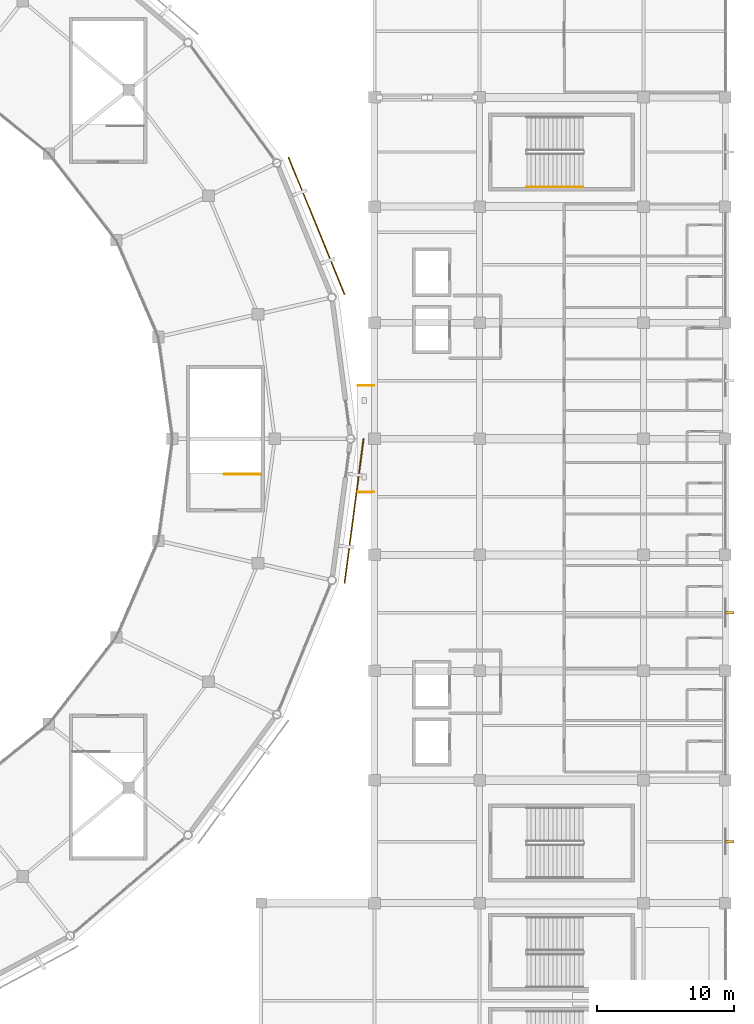
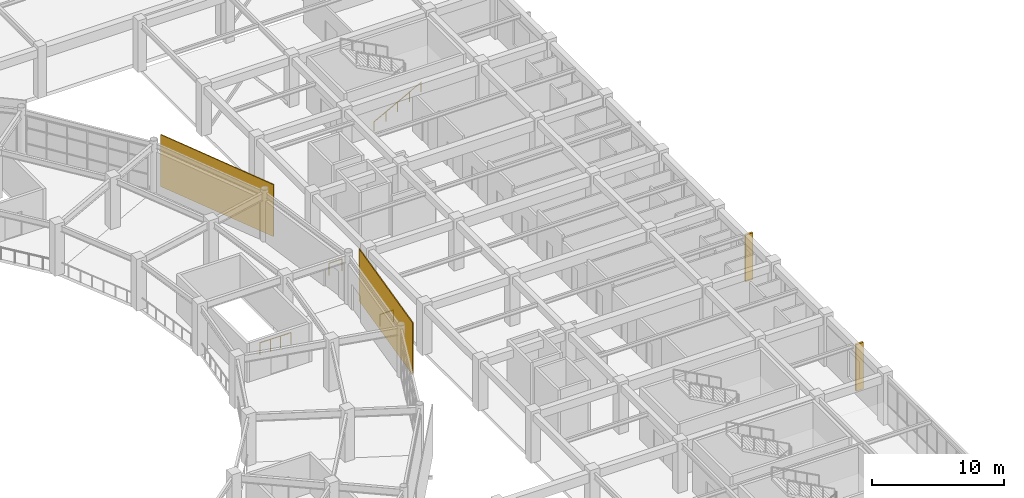
# One storey, part 107 of 112: 4 railings, 2 coverings, 2 shading devices.
"""IFC4 building model written with IfcOpenShell, lengths in metres."""

from ifc_helpers import new_model, si_unit, direction, frame, frame_2d, origin, origin_2d, place, context, subcontext, project, spatial, rectangle, circle, extrude, material, layer, layer_set, type_object, element, save


model = new_model("IFC4")

# Units and contexts
model_context = context("Model", 3, precision=1e-05, world=origin(), true_north=direction((0.0, 1.0)))
body_context = subcontext(model_context, "Body", "Model", "MODEL_VIEW")
ifc_project = project(units=[si_unit("LENGTHUNIT", "METRE"), si_unit("AREAUNIT", "SQUARE_METRE"), si_unit("VOLUMEUNIT", "CUBIC_METRE"), si_unit("PLANEANGLEUNIT", "RADIAN"), si_unit("MASSUNIT", "GRAM", prefix="KILO")], contexts=[model_context])

# Site, building, storey
site_placement = place(None, origin())
site = spatial("IfcSite", under=ifc_project, at=site_placement, CompositionType="ELEMENT")
building_placement = place(site_placement, origin())
building = spatial("IfcBuilding", under=site, at=building_placement, Name="Cuetzalor Civic Arena", CompositionType="ELEMENT")
storey_placement = place(building_placement, frame((0.0, 0.0, 11.39990234375)))
storey = spatial("IfcBuildingStorey", under=building, at=storey_placement, Name="L02", CompositionType="ELEMENT", Elevation=11.39990234375)

# Railings
ifc_material_1 = material(Name="Reseda-green architectural Steel S355 balustrade", Category="steel")
railing_type_1 = type_object("IfcRailingType", Name="InteriorVoidBalustrade_1100", PredefinedType="BALUSTRADE", material=ifc_material_1)
railing_1_placement = place(storey_placement, frame((48.0, -2.60009765625, 0.0)))
element("IfcRailing", 1, at=railing_1_placement, inside=storey, type_object=railing_type_1, Name="L02 ST-01 top well guard 1", PredefinedType="BALUSTRADE", context=body_context, shape_type="SweptSolid", body=[
    extrude(circle(Radius=0.02392578125, at=origin_2d()), frame((0.0, 0.0, 1.0810546875), z_axis=(-1.0, 0.0, 0.0), x_axis=(0.0, -1.0, 0.0)), (0.0, 0.0, 1.0), 2.699951171875),
    extrude(circle(Radius=0.02099609375, at=origin_2d()), origin(), (0.0, 0.0, 1.0), 1.056884765625),
    extrude(circle(Radius=0.02099609375, at=origin_2d()), frame((-0.89990234375, 0.0, 0.0)), (0.0, 0.0, 1.0), 1.056884765625),
    extrude(circle(Radius=0.02099609375, at=origin_2d()), frame((-1.800048828125, 0.0, 0.0)), (0.0, 0.0, 1.0), 1.056884765625),
    extrude(circle(Radius=0.02099609375, at=origin_2d()), frame((-2.699951171875, 0.0, 0.0)), (0.0, 0.0, 1.0), 1.056884765625),
])
for number, where, name in (
    (2, (55.080078125, -3.89990234375, 0.0), "Seismic Bridge Balustrade V4E L02 S"),
    (3, (55.080078125, 3.89990234375, 0.0), "Seismic Bridge Balustrade V4E L02 N"),
):
    element("IfcRailing", number, at=place(storey_placement, frame(where)), inside=storey, type_object=railing_type_1, Name=name, PredefinedType="BALUSTRADE", context=body_context, shape_type="SweptSolid", body=[
        extrude(circle(Radius=0.02392578125, at=origin_2d()), frame((0.0, 0.0, 1.076171875), z_axis=(1.0, 0.0, 0.0), x_axis=(0.0, 1.0, 0.0)), (0.0, 0.0, 1.0), 1.169921875),
        extrude(circle(Radius=0.02099609375, at=origin_2d()), origin(), (0.0, 0.0, 1.0), 1.052001953125),
        extrude(circle(Radius=0.02099609375, at=origin_2d()), frame((1.169921875, 0.0, 0.0)), (0.0, 0.0, 1.0), 1.052001953125),
    ])
ifc_material_2 = material(Name="Galvanised steel S355", Category="steel")
railing_type_2 = type_object("IfcRailingType", Name="StairPitchHandrail_900", PredefinedType="HANDRAIL", material=ifc_material_2)
railing_2_placement = place(storey_placement, frame((67.449951171875, 18.449951171875, 0.171630859375)))
element("IfcRailing", 4, at=railing_2_placement, inside=storey, type_object=railing_type_2, Name="L02 ST-22 stair handrail 1", PredefinedType="HANDRAIL", context=body_context, shape_type="SweptSolid", body=[
    extrude(circle(Radius=0.02392578125, at=origin_2d()), frame((0.0, 0.0, 0.8759765625), z_axis=(0.880248997335, 0.0, 0.474512068014), x_axis=(0.0, 1.0, 0.0)), (0.0, 0.0, 1.0), 4.696533203125),
    extrude(circle(Radius=0.02099609375, at=origin_2d()), origin(), (0.0, 0.0, 1.0), 0.851806640625),
    extrude(circle(Radius=0.02099609375, at=origin_2d()), frame((1.033447265625, 0.0, 0.55712890625)), (0.0, 0.0, 1.0), 0.851806640625),
    extrude(circle(Radius=0.02099609375, at=origin_2d()), frame((2.06689453125, 0.0, 1.1142578125)), (0.0, 0.0, 1.0), 0.851806640625),
    extrude(circle(Radius=0.02099609375, at=origin_2d()), frame((3.1005859375, 0.0, 1.67138671875)), (0.0, 0.0, 1.0), 0.851806640625),
    extrude(circle(Radius=0.02099609375, at=origin_2d()), frame((4.134033203125, 0.0, 2.228515625)), (0.0, 0.0, 1.0), 0.851806640625),
])

# Coverings
ifc_material_3 = material(Name="Terracotta-red perforated anodised aluminium panel", Category="masonry")
ifc_layer = layer(ifc_material_3, 0.080078125)
ifc_layer_set = layer_set([ifc_layer], Name="Terracotta-red perforated anodised aluminium panel")
covering_type = type_object("IfcCoveringType", Name="TerracottaPerforatedScreenPanel", PredefinedType="CLADDING", material=ifc_layer_set)
covering_1_placement = place(storey_placement, frame((50.00390625, 20.609619140625, -0.139892578125), z_axis=(0.0, 0.0, 1.0), x_axis=(0.378411973316, -0.925637282336, 0.0)))
element("IfcCovering", 5, at=covering_1_placement, inside=storey, type_object=covering_type, Name="Terracotta Perforated Drum Screen L02-S02", PredefinedType="CLADDING", context=body_context, shape_type="SweptSolid", body=[
    extrude(rectangle(XDim=10.8466796875, YDim=0.080078125, at=frame_2d((5.42333984375, 0.0))), origin(), (0.0, 0.0, 1.0), 4.820068359375),
])
covering_2_placement = place(storey_placement, frame((55.5, 0.0, -0.139892578125), z_axis=(0.0, 0.0, 1.0), x_axis=(-0.130534485624, -0.991443769491, 0.0)))
element("IfcCovering", 6, at=covering_2_placement, inside=storey, type_object=covering_type, Name="Terracotta Perforated Drum Screen L02-S28", PredefinedType="CLADDING", context=body_context, shape_type="SweptSolid", body=[
    extrude(rectangle(XDim=10.660888671875, YDim=0.080078125, at=frame_2d((5.33056640625, 0.0))), origin(), (0.0, 0.0, 1.0), 4.820068359375),
])

# Shading devices
ifc_material_4 = material(Name="Puebla cantera gris stone and bronze fin", Category="masonry")
shading_device_type = type_object("IfcShadingDeviceType", Name="VerticalCanteraSolarFin", PredefinedType="USERDEFINED", material=ifc_material_4)
for number, where, z_axis, x_axis, name in (
    (7, (82.300048828125, -29.5, 0.10009765625), (0.0, 0.0, 1.0), (1.0, 0.0, 0.0), "V4E Vertical Cantera Solar Fin 02"),
    (8, (82.300048828125, -12.75, 0.10009765625), (0.0, 0.0, 1.0), (1.0, 0.0, 0.0), "V4E Vertical Cantera Solar Fin 03"),
):
    element("IfcShadingDevice", number, at=place(storey_placement, frame(where, z_axis=z_axis, x_axis=x_axis)), inside=storey, type_object=shading_device_type, Name=name, ObjectType="SOLAR FIN", PredefinedType="USERDEFINED", context=body_context, shape_type="SweptSolid", body=[
        extrude(rectangle(XDim=0.64990234375, YDim=0.179931640625, at=origin_2d()), origin(), (0.0, 0.0, 1.0), 4.320068359375),
    ])

save(model, "model.ifc")
